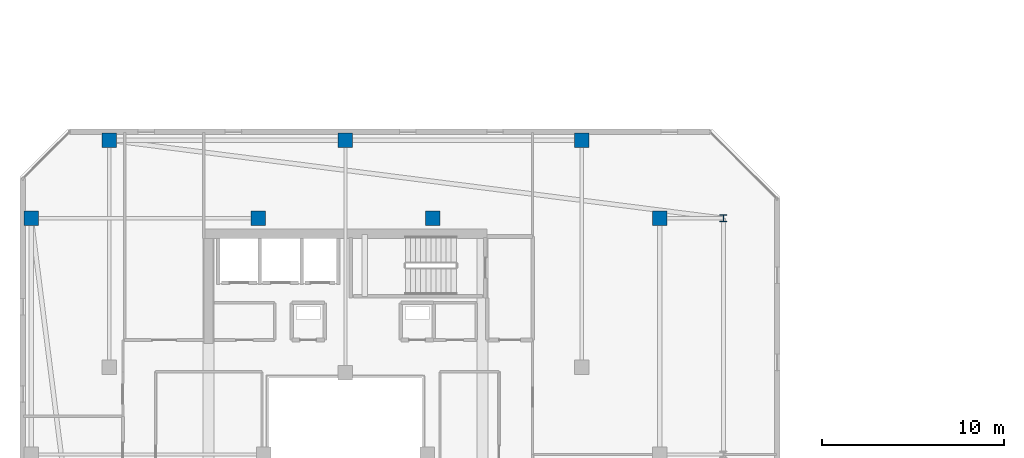
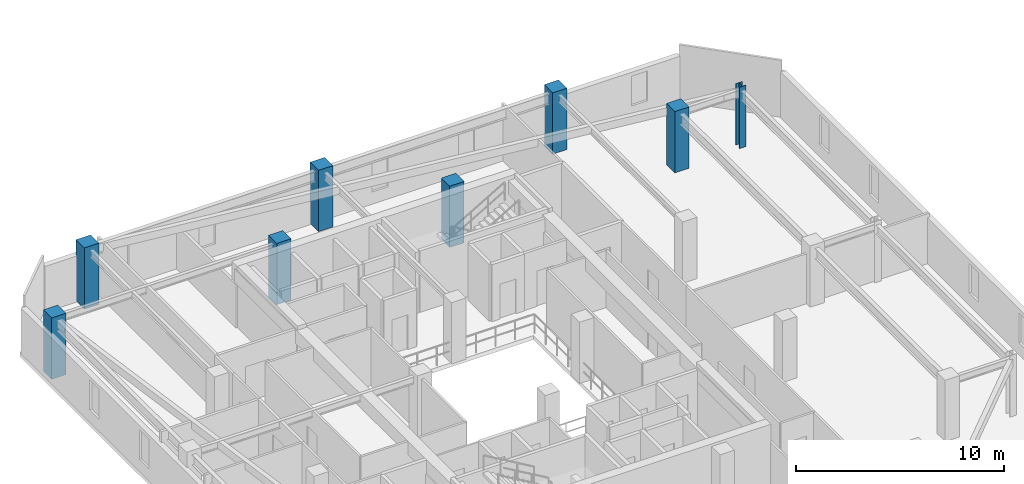
# One storey, part 3 of 34: 8 columns.
"""IFC4 building model written with IfcOpenShell, lengths in metres."""

from ifc_helpers import new_model, si_unit, direction, frame, origin, origin_2d, place, context, subcontext, project, spatial, rectangle, i_section, extrude, material, material_profile, profile_set, type_object, element, save


model = new_model("IFC4")

# Units and contexts
model_context = context("Model", 3, precision=1e-05, world=origin(), true_north=direction((0.0, 1.0)))
body_context = subcontext(model_context, "Body", "Model", "MODEL_VIEW")
ifc_project = project(units=[si_unit("LENGTHUNIT", "METRE"), si_unit("AREAUNIT", "SQUARE_METRE"), si_unit("VOLUMEUNIT", "CUBIC_METRE"), si_unit("PLANEANGLEUNIT", "RADIAN"), si_unit("MASSUNIT", "GRAM", prefix="KILO")], contexts=[model_context])

# Site, building, storey
site_placement = place(None, origin())
site = spatial("IfcSite", under=ifc_project, at=site_placement, CompositionType="ELEMENT")
building_placement = place(site_placement, origin())
building = spatial("IfcBuilding", under=site, at=building_placement, Name="Thornwick Lancets Civic Towers", CompositionType="ELEMENT")
storey_placement = place(building_placement, frame((0.0, 0.0, 261.89990234375)))
storey = spatial("IfcBuildingStorey", under=building, at=storey_placement, Name="L70", CompositionType="ELEMENT", Elevation=261.89990234375)

# Columns
ifc_material_1 = material(Name="Concrete C50/60", Category="concrete")
ifc_material_profile_1 = material_profile(ifc_material_1, rectangle(XDim=0.800048828125, YDim=0.800048828125, at=origin_2d()), Name="RC 800x800")
ifc_profile_set_1 = profile_set([ifc_material_profile_1], Name="Concrete C50/60")
column_type_1 = type_object("IfcColumnType", Name="COL_RC_800", PredefinedType="COLUMN", material=ifc_profile_set_1)
for number, where, z_axis, x_axis, name in (
    (1, (42.800048828125, 40.0, 0.0), (0.0, 0.0, 1.0), (1.0, 0.0, 0.0), "L70 Spine Mega-Column A06"),
    (2, (12.5, 44.300048828125, 0.0), (0.0, 0.0, 1.0), (1.0, 0.0, 0.0), "L70 Spine Mega-Column A07"),
    (3, (25.5, 44.300048828125, 0.0), (0.0, 0.0, 1.0), (1.0, 0.0, 0.0), "L70 Spine Mega-Column A08"),
    (4, (38.5, 44.300048828125, 0.0), (0.0, 0.0, 1.0), (1.0, 0.0, 0.0), "L70 Spine Mega-Column A09"),
    (5, (8.199951171875, 40.0, 0.0), (0.0, 0.0, 1.0), (1.0, 0.0, 0.0), "L70 Spine Mega-Column A12"),
    (6, (20.699951171875, 40.0, 0.0), (0.0, 0.0, 1.0), (1.0, 0.0, 0.0), "L70 Spine Mega-Column A19"),
    (7, (30.300048828125, 40.0, 0.0), (0.0, 0.0, 1.0), (1.0, 0.0, 0.0), "L70 Spine Mega-Column A20"),
):
    element("IfcColumn", number, at=place(storey_placement, frame(where, z_axis=z_axis, x_axis=x_axis)), inside=storey, type_object=column_type_1, Name=name, PredefinedType="COLUMN", context=body_context, shape_type="SweptSolid", body=[
        extrude(rectangle(XDim=0.800048828125, YDim=0.800048828125, at=origin_2d()), origin(), (0.0, 0.0, 1.0), 3.60009765625),
    ])
ifc_material_2 = material(Name="Steel S355JR", Category="steel")
ifc_material_profile_2 = material_profile(ifc_material_2, i_section(OverallWidth=0.374755859375, OverallDepth=0.37451171875, WebThickness=0.0166015625, FlangeThickness=0.027099609375, FilletRadius=0.01513671875, at=origin_2d()), Name="UKC 356x368x202")
ifc_profile_set_2 = profile_set([ifc_material_profile_2], Name="Steel S355JR")
column_type_2 = type_object("IfcColumnType", Name="COL_UKC_202", PredefinedType="COLUMN", material=ifc_profile_set_2)
column_placement = place(storey_placement, frame((46.300048828125, 40.0, 0.0), z_axis=(0.0, 0.0, 1.0), x_axis=(1.0, 0.0, 0.0)))
element("IfcColumn", 8, at=column_placement, inside=storey, type_object=column_type_2, Name="L70 Block Perimeter Column A06", PredefinedType="COLUMN", context=body_context, shape_type="SweptSolid", body=[
    extrude(i_section(OverallWidth=0.374755859375, OverallDepth=0.37451171875, WebThickness=0.0166015625, FlangeThickness=0.027099609375, FilletRadius=0.01513671875, at=origin_2d()), origin(), (0.0, 0.0, 1.0), 3.60009765625),
])

save(model, "model.ifc")
